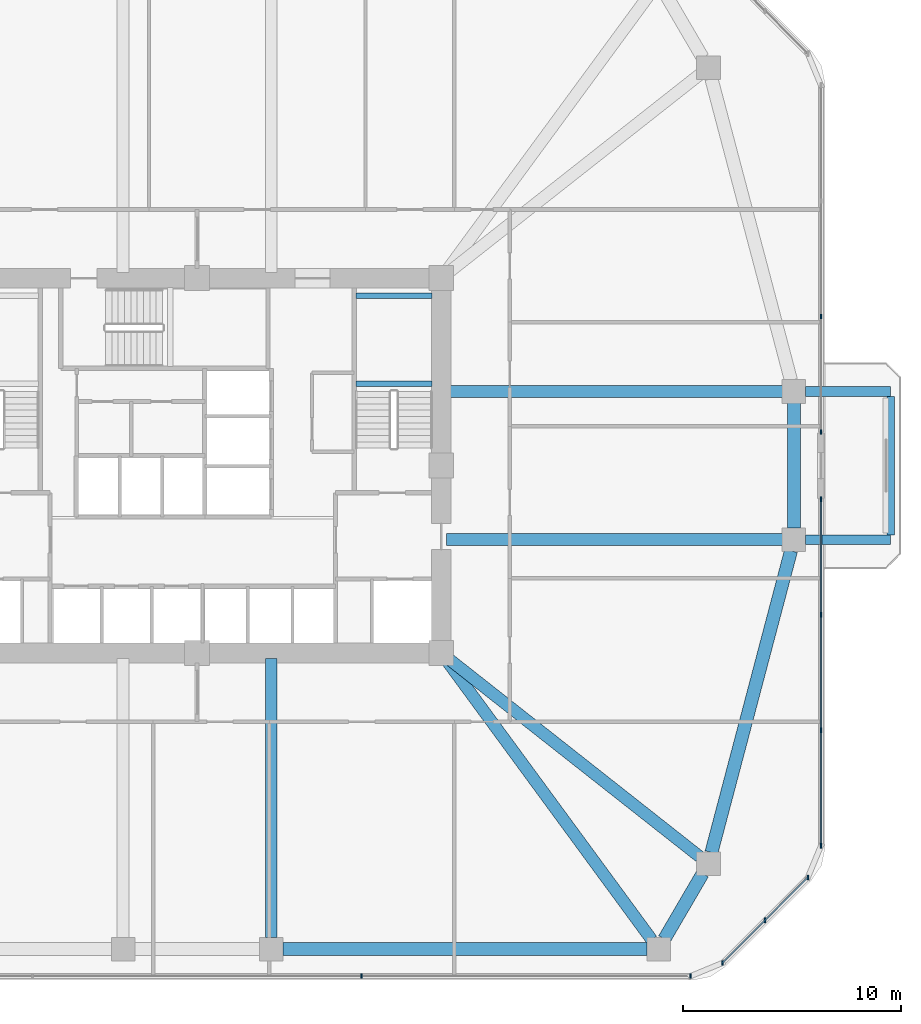
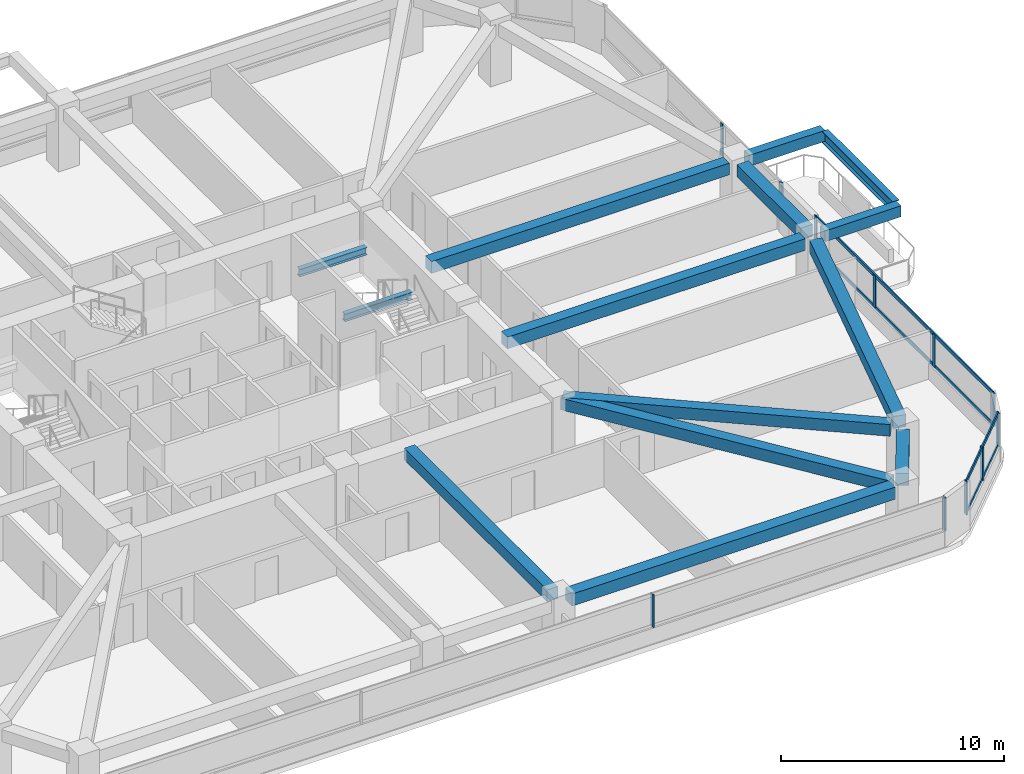
# One storey, part 5 of 15: 15 members, 14 beams, 4 elements without a shape of their own.
"""IFC4 building model written with IfcOpenShell, lengths in metres."""

from ifc_helpers import new_model, si_unit, derived_unit, direction, frame, origin, origin_2d, place, context, subcontext, project, spatial, rectangle, i_section, extrude, material, material_profile, profile_set, type_object, element, aggregate, save


model = new_model("IFC4")

# Units and contexts
model_context = context("Model", 3, precision=1e-05, world=origin(), true_north=direction((0.0, 1.0)))
body_context = subcontext(model_context, "Body", "Model", "MODEL_VIEW")
ifc_project = project(units=[si_unit("LENGTHUNIT", "METRE"), si_unit("AREAUNIT", "SQUARE_METRE"), si_unit("VOLUMEUNIT", "CUBIC_METRE"), si_unit("PLANEANGLEUNIT", "RADIAN"), si_unit("MASSUNIT", "GRAM", prefix="KILO"), derived_unit("THERMALTRANSMITTANCEUNIT", [(si_unit("POWERUNIT", "WATT"), 1), (si_unit("LENGTHUNIT", "METRE"), -2), (si_unit("THERMODYNAMICTEMPERATUREUNIT", "KELVIN"), -1)])], contexts=[model_context])

# Site, building, storey
site_placement = place(None, origin())
site = spatial("IfcSite", under=ifc_project, at=site_placement, CompositionType="ELEMENT")
building_placement = place(site_placement, origin())
building = spatial("IfcBuilding", under=site, at=building_placement, Name="Koralith Skygarden Medical Center", CompositionType="ELEMENT")
storey_placement = place(building_placement, frame((0.0, 0.0, 27.5400390625)))
storey = spatial("IfcBuildingStorey", under=building, at=storey_placement, Name="L06", CompositionType="ELEMENT", Elevation=27.5400390625)

# Curtain wall, members
ifc_material_1 = material(Name="Clear Laminated Glass", Category="glass")
curtain_wall_type = type_object("IfcCurtainWallType", Name="CW-2 Zone 1 Hurricane Unitised Curtain Wall", PredefinedType="NOTDEFINED", material=ifc_material_1)
curtain_wall_1_placement = place(storey_placement, origin())
curtain_wall_1 = element("IfcCurtainWall", 1, at=curtain_wall_1_placement, inside=storey, type_object=curtain_wall_type, Name="Curtain Wall CW-L06-S", PredefinedType="NOTDEFINED")
ifc_material_2 = material(Name="Aluminium 6063-T6", Category="aluminium")
ifc_material_profile_1 = material_profile(ifc_material_2, rectangle(XDim=0.071044921875, YDim=0.219970703125, at=origin_2d()), Name="MUL71X220")
ifc_profile_set_1 = profile_set([ifc_material_profile_1], Name="Aluminium 6063-T6")
member_type_1 = type_object("IfcMemberType", Name="CW-2 Extruded Mullion 71x220", PredefinedType="MULLION", material=ifc_profile_set_1)
member_1_placement = place(storey_placement, frame((44.548095703125, 2.47998046875, 0.849853515625), z_axis=(0.0, 0.0, 1.0), x_axis=(1.0, 0.0, 0.0)))
member_1 = element("IfcMember", 2, at=member_1_placement, type_object=member_type_1, Name="CW-L06-S Mullion 3", PredefinedType="MULLION", context=body_context, shape_type="SweptSolid", body=[
    extrude(rectangle(XDim=0.071044921875, YDim=0.219970703125, at=origin_2d()), origin(), (0.0, 0.0, 1.0), 1.800048828125),
])
member_2_placement = place(storey_placement, frame((59.64501953125, 2.47998046875, 0.849853515625), z_axis=(0.0, 0.0, 1.0), x_axis=(1.0, 0.0, 0.0)))
member_2 = element("IfcMember", 3, at=member_2_placement, type_object=member_type_1, Name="CW-L06-S Mullion 4", PredefinedType="MULLION", context=body_context, shape_type="SweptSolid", body=[
    extrude(rectangle(XDim=0.071044921875, YDim=0.219970703125, at=origin_2d()), origin(), (0.0, 0.0, 1.0), 1.800048828125),
])
aggregate(curtain_wall_1, [member_1, member_2])

curtain_wall_2_placement = place(storey_placement, origin())
curtain_wall_2 = element("IfcCurtainWall", 4, at=curtain_wall_2_placement, inside=storey, type_object=curtain_wall_type, Name="Curtain Wall CW-L06-SE", PredefinedType="NOTDEFINED")
member_3_placement = place(storey_placement, frame((61.095947265625, 3.0810546875, 0.849853515625), z_axis=(0.0, 0.0, 1.0), x_axis=(1.0, 0.0, 0.0)))
member_3 = element("IfcMember", 5, at=member_3_placement, type_object=member_type_1, Name="CW-L06-SE Mullion 1", PredefinedType="MULLION", context=body_context, shape_type="SweptSolid", body=[
    extrude(rectangle(XDim=0.071044921875, YDim=0.219970703125, at=origin_2d()), origin(), (0.0, 0.0, 1.0), 1.800048828125),
])
member_4_placement = place(storey_placement, frame((63.056884765625, 5.0419921875, 0.849853515625), z_axis=(0.0, 0.0, 1.0), x_axis=(1.0, 0.0, 0.0)))
member_4 = element("IfcMember", 6, at=member_4_placement, type_object=member_type_1, Name="CW-L06-SE Mullion 2", PredefinedType="MULLION", context=body_context, shape_type="SweptSolid", body=[
    extrude(rectangle(XDim=0.071044921875, YDim=0.219970703125, at=origin_2d()), origin(), (0.0, 0.0, 1.0), 1.800048828125),
])
member_5_placement = place(storey_placement, frame((65.01904296875, 7.00390625, 0.849853515625), z_axis=(0.0, 0.0, 1.0), x_axis=(1.0, 0.0, 0.0)))
member_5 = element("IfcMember", 7, at=member_5_placement, type_object=member_type_1, Name="CW-L06-SE Mullion 3", PredefinedType="MULLION", context=body_context, shape_type="SweptSolid", body=[
    extrude(rectangle(XDim=0.071044921875, YDim=0.219970703125, at=origin_2d()), origin(), (0.0, 0.0, 1.0), 1.800048828125),
])

curtain_wall_3_placement = place(storey_placement, origin())
curtain_wall_3 = element("IfcCurtainWall", 8, at=curtain_wall_3_placement, inside=storey, type_object=curtain_wall_type, Name="Curtain Wall CW-L06-E-L", PredefinedType="NOTDEFINED")
member_6_placement = place(storey_placement, frame((65.6201171875, 8.455078125, 0.849853515625), z_axis=(0.0, 0.0, 1.0), x_axis=(1.0, 0.0, 0.0)))
member_6 = element("IfcMember", 9, at=member_6_placement, type_object=member_type_1, Name="CW-L06-E-L Mullion 1", PredefinedType="MULLION", context=body_context, shape_type="SweptSolid", body=[
    extrude(rectangle(XDim=0.071044921875, YDim=0.219970703125, at=origin_2d()), origin(), (0.0, 0.0, 1.0), 1.800048828125),
])
member_7_placement = place(storey_placement, frame((65.6201171875, 13.757080078125, 0.849853515625), z_axis=(0.0, 0.0, 1.0), x_axis=(1.0, 0.0, 0.0)))
member_7 = element("IfcMember", 10, at=member_7_placement, type_object=member_type_1, Name="CW-L06-E-L Mullion 2", PredefinedType="MULLION", context=body_context, shape_type="SweptSolid", body=[
    extrude(rectangle(XDim=0.071044921875, YDim=0.219970703125, at=origin_2d()), origin(), (0.0, 0.0, 1.0), 1.800048828125),
])
member_8_placement = place(storey_placement, frame((65.6201171875, 19.05810546875, 0.849853515625), z_axis=(0.0, 0.0, 1.0), x_axis=(1.0, 0.0, 0.0)))
member_8 = element("IfcMember", 11, at=member_8_placement, type_object=member_type_1, Name="CW-L06-E-L Mullion 3", PredefinedType="MULLION", context=body_context, shape_type="SweptSolid", body=[
    extrude(rectangle(XDim=0.071044921875, YDim=0.219970703125, at=origin_2d()), origin(), (0.0, 0.0, 1.0), 1.800048828125),
])
member_9_placement = place(storey_placement, frame((65.6201171875, 24.360107421875, 0.849853515625), z_axis=(0.0, 0.0, 1.0), x_axis=(1.0, 0.0, 0.0)))
member_9 = element("IfcMember", 12, at=member_9_placement, type_object=member_type_1, Name="CW-L06-E-L Mullion 4", PredefinedType="MULLION", context=body_context, shape_type="SweptSolid", body=[
    extrude(rectangle(XDim=0.071044921875, YDim=0.219970703125, at=origin_2d()), origin(), (0.0, 0.0, 1.0), 1.800048828125),
])

curtain_wall_4_placement = place(storey_placement, origin())
curtain_wall_4 = element("IfcCurtainWall", 13, at=curtain_wall_4_placement, inside=storey, type_object=curtain_wall_type, Name="Curtain Wall CW-L06-E-R", PredefinedType="NOTDEFINED")
member_10_placement = place(storey_placement, frame((65.6201171875, 27.43994140625, 0.849853515625), z_axis=(0.0, 0.0, 1.0), x_axis=(1.0, 0.0, 0.0)))
member_10 = element("IfcMember", 14, at=member_10_placement, type_object=member_type_1, Name="CW-L06-E-R Mullion 1", PredefinedType="MULLION", context=body_context, shape_type="SweptSolid", body=[
    extrude(rectangle(XDim=0.071044921875, YDim=0.219970703125, at=origin_2d()), origin(), (0.0, 0.0, 1.0), 1.800048828125),
])
member_11_placement = place(storey_placement, frame((65.6201171875, 32.741943359375, 0.849853515625), z_axis=(0.0, 0.0, 1.0), x_axis=(1.0, 0.0, 0.0)))
member_11 = element("IfcMember", 15, at=member_11_placement, type_object=member_type_1, Name="CW-L06-E-R Mullion 2", PredefinedType="MULLION", context=body_context, shape_type="SweptSolid", body=[
    extrude(rectangle(XDim=0.071044921875, YDim=0.219970703125, at=origin_2d()), origin(), (0.0, 0.0, 1.0), 1.800048828125),
])
aggregate(curtain_wall_4, [member_10, member_11])

# Member
ifc_material_profile_2 = material_profile(ifc_material_2, rectangle(XDim=0.06591796875, YDim=0.197998046875, at=origin_2d()), Name="TRN66X198")
ifc_profile_set_2 = profile_set([ifc_material_profile_2], Name="Aluminium 6063-T6")
member_type_2 = type_object("IfcMemberType", Name="CW-2 Thermal Transom 66x198", PredefinedType="USERDEFINED", material=ifc_profile_set_2)
member_12_placement = place(storey_placement, frame((61.095947265625, 3.0810546875, 0.89990234375), z_axis=(0.707128783731, 0.707084777957, 0.0), x_axis=(-0.707084777957, 0.707128783731, 0.0)))
member_12 = element("IfcMember", 16, at=member_12_placement, type_object=member_type_2, Name="CW-L06-SE Transom 1", ObjectType="TRANSOM", PredefinedType="USERDEFINED", context=body_context, shape_type="SweptSolid", body=[
    extrude(rectangle(XDim=0.06591796875, YDim=0.197998046875, at=origin_2d()), origin(), (0.0, 0.0, 1.0), 5.5478515625),
])

member_13_placement = place(storey_placement, frame((61.095947265625, 3.0810546875, 2.599853515625), z_axis=(0.707128783731, 0.707084777957, 0.0), x_axis=(-0.707084777957, 0.707128783731, 0.0)))
member_13 = element("IfcMember", 17, at=member_13_placement, type_object=member_type_2, Name="CW-L06-SE Transom 2", ObjectType="TRANSOM", PredefinedType="USERDEFINED", context=body_context, shape_type="SweptSolid", body=[
    extrude(rectangle(XDim=0.06591796875, YDim=0.197998046875, at=origin_2d()), origin(), (0.0, 0.0, 1.0), 5.5478515625),
])

aggregate(curtain_wall_2, [member_3, member_4, member_5, member_12, member_13])

member_14_placement = place(storey_placement, frame((65.6201171875, 8.455078125, 0.89990234375), z_axis=(0.0, 1.0, 0.0), x_axis=(-1.0, 0.0, 0.0)))
member_14 = element("IfcMember", 18, at=member_14_placement, type_object=member_type_2, Name="CW-L06-E-L Transom 1", ObjectType="TRANSOM", PredefinedType="USERDEFINED", context=body_context, shape_type="SweptSolid", body=[
    extrude(rectangle(XDim=0.06591796875, YDim=0.197998046875, at=origin_2d()), origin(), (0.0, 0.0, 1.0), 15.905029296875),
])

member_15_placement = place(storey_placement, frame((65.6201171875, 8.455078125, 2.599853515625), z_axis=(0.0, 1.0, 0.0), x_axis=(-1.0, 0.0, 0.0)))
member_15 = element("IfcMember", 19, at=member_15_placement, type_object=member_type_2, Name="CW-L06-E-L Transom 2", ObjectType="TRANSOM", PredefinedType="USERDEFINED", context=body_context, shape_type="SweptSolid", body=[
    extrude(rectangle(XDim=0.06591796875, YDim=0.197998046875, at=origin_2d()), origin(), (0.0, 0.0, 1.0), 15.905029296875),
])

aggregate(curtain_wall_3, [member_6, member_7, member_8, member_9, member_14, member_15])

# Beams
ifc_material_3 = material(Name="Steel ASTM A992 Grade 50", Category="steel")
ifc_material_profile_3 = material_profile(ifc_material_3, i_section(OverallWidth=0.326904296875, OverallDepth=0.6220703125, WebThickness=0.015380859375, FlangeThickness=0.0244140625, at=origin_2d()), Name="W24X131")
ifc_profile_set_3 = profile_set([ifc_material_profile_3], Name="Steel ASTM A992 Grade 50")
beam_type_1 = type_object("IfcBeamType", Name="Cantilever Tie Beam W24X131", PredefinedType="BEAM", material=ifc_profile_set_3)
beam_1_placement = place(storey_placement, frame((68.820068359375, 22.719970703125, 3.029052734375), z_axis=(0.0, 1.0, 0.0), x_axis=(-1.0, 0.0, 0.0)))
element("IfcBeam", 20, at=beam_1_placement, inside=storey, type_object=beam_type_1, Name="L07 E Balcony Tip Tie Beam", PredefinedType="BEAM", context=body_context, shape_type="SweptSolid", body=[
    extrude(i_section(OverallWidth=0.326904296875, OverallDepth=0.6220703125, WebThickness=0.015380859375, FlangeThickness=0.0244140625, at=origin_2d()), origin(), (0.0, 0.0, 1.0), 6.360107421875),
])
ifc_material_profile_4 = material_profile(ifc_material_3, i_section(OverallWidth=0.260009765625, OverallDepth=0.4150390625, WebThickness=0.010009765625, FlangeThickness=0.016845703125, at=origin_2d()), Name="W16X67")
ifc_profile_set_4 = profile_set([ifc_material_profile_4], Name="Steel ASTM A992 Grade 50")
beam_type_2 = type_object("IfcBeamType", Name="Clinical Floor Joist W16X67", PredefinedType="JOIST", material=ifc_profile_set_4)
for number, where, z_axis, x_axis, name in (
    (21, (44.280029296875, 29.659912109375, 1.39306640625), (1.0, 0.0, 0.0), (0.0, 1.0, 0.0), "L06 Stair ST2 Half-Landing Support Beam 1A"),
    (22, (44.280029296875, 33.699951171875, 1.39306640625), (1.0, 0.0, 0.0), (0.0, 1.0, 0.0), "L06 Stair ST2 Half-Landing Support Beam 1B"),
):
    element("IfcBeam", number, at=place(storey_placement, frame(where, z_axis=z_axis, x_axis=x_axis)), inside=storey, type_object=beam_type_2, Name=name, PredefinedType="JOIST", context=body_context, shape_type="SweptSolid", body=[
        extrude(i_section(OverallWidth=0.260009765625, OverallDepth=0.4150390625, WebThickness=0.010009765625, FlangeThickness=0.016845703125, at=origin_2d()), origin(), (0.0, 0.0, 1.0), 3.489990234375),
    ])
ifc_material_4 = material(Name="Concrete C45/55", Category="concrete")
ifc_material_profile_5 = material_profile(ifc_material_4, rectangle(XDim=0.449951171875, YDim=0.60009765625, at=origin_2d()), Name="RCB450X600")
ifc_profile_set_5 = profile_set([ifc_material_profile_5], Name="Concrete C45/55")
beam_type_3 = type_object("IfcBeamType", Name="Planted Balcony Cantilever Beam RCB450X600", PredefinedType="BEAM", material=ifc_profile_set_5)
for number, where, z_axis, x_axis, name in (
    (23, (64.89990234375, 22.5, 3.0400390625), (1.0, 0.0, 0.0), (0.0, 1.0, 0.0), "L07 E Balcony Cantilever Beam A"),
    (24, (64.89990234375, 29.300048828125, 3.0400390625), (1.0, 0.0, 0.0), (0.0, 1.0, 0.0), "L07 E Balcony Cantilever Beam B"),
):
    element("IfcBeam", number, at=place(storey_placement, frame(where, z_axis=z_axis, x_axis=x_axis)), inside=storey, type_object=beam_type_3, Name=name, PredefinedType="BEAM", context=body_context, shape_type="SweptSolid", body=[
        extrude(rectangle(XDim=0.449951171875, YDim=0.60009765625, at=origin_2d()), origin(), (0.0, 0.0, 1.0), 3.920166015625),
    ])
ifc_material_profile_6 = material_profile(ifc_material_4, rectangle(XDim=0.550048828125, YDim=0.639892578125, at=origin_2d()), Name="RCB550X640")
ifc_profile_set_6 = profile_set([ifc_material_profile_6], Name="Concrete C45/55")
beam_type_4 = type_object("IfcBeamType", Name="Radial Collector Beam RCB550X640", PredefinedType="BEAM", material=ifc_profile_set_6)
beam_2_placement = place(storey_placement, frame((40.39990234375, 17.050048828125, 3.0), z_axis=(0.0, -1.0, 0.0), x_axis=(1.0, 0.0, 0.0)))
element("IfcBeam", 25, at=beam_2_placement, inside=storey, type_object=beam_type_4, Name="L06 Radial Collector Beam RB-05", PredefinedType="BEAM", context=body_context, shape_type="SweptSolid", body=[
    extrude(rectangle(XDim=0.550048828125, YDim=0.639892578125, at=origin_2d()), origin(), (0.0, 0.0, 1.0), 12.800048828125),
])
beam_3_placement = place(storey_placement, frame((48.347900390625, 17.097900390625, 3.0), z_axis=(0.591718052249, -0.806144991079, 0.0), x_axis=(0.806144991079, 0.591718052249, 0.0)))
element("IfcBeam", 26, at=beam_3_placement, inside=storey, type_object=beam_type_4, Name="L06 Radial Collector Beam RB-06", PredefinedType="BEAM", context=body_context, shape_type="SweptSolid", body=[
    extrude(rectangle(XDim=0.550048828125, YDim=0.639892578125, at=origin_2d()), origin(), (0.0, 0.0, 1.0), 16.065185546875),
])
beam_4_placement = place(storey_placement, frame((48.39599609375, 17.14501953125, 3.0), z_axis=(0.785497250365, -0.618865146594, 0.0), x_axis=(0.618865146594, 0.785497250365, 0.0)))
element("IfcBeam", 27, at=beam_4_placement, inside=storey, type_object=beam_type_4, Name="L06 Radial Collector Beam RB-07", PredefinedType="BEAM", context=body_context, shape_type="SweptSolid", body=[
    extrude(rectangle(XDim=0.550048828125, YDim=0.639892578125, at=origin_2d()), origin(), (0.0, 0.0, 1.0), 14.828857421875),
])
for number, where, z_axis, x_axis, name in (
    (28, (48.449951171875, 22.5, 3.0), (1.0, 0.0, 0.0), (0.0, 1.0, 0.0), "L06 Radial Collector Beam RB-08"),
    (29, (48.449951171875, 29.300048828125, 3.0), (1.0, 0.0, 0.0), (0.0, 1.0, 0.0), "L06 Radial Collector Beam RB-09"),
):
    element("IfcBeam", number, at=place(storey_placement, frame(where, z_axis=z_axis, x_axis=x_axis)), inside=storey, type_object=beam_type_4, Name=name, PredefinedType="BEAM", context=body_context, shape_type="SweptSolid", body=[
        extrude(rectangle(XDim=0.550048828125, YDim=0.639892578125, at=origin_2d()), origin(), (0.0, 0.0, 1.0), 15.400146484375),
    ])
ifc_material_profile_7 = material_profile(ifc_material_4, rectangle(XDim=0.60009765625, YDim=0.659912109375, at=origin_2d()), Name="RCB600X660")
ifc_profile_set_7 = profile_set([ifc_material_profile_7], Name="Concrete C45/55")
beam_type_5 = type_object("IfcBeamType", Name="Zone 1 Spandrel Beam RCB600X660", PredefinedType="SPANDREL", material=ifc_profile_set_7)
beam_5_placement = place(storey_placement, frame((40.929931640625, 3.719970703125, 2.989990234375), z_axis=(1.0, 0.0, 0.0), x_axis=(0.0, 1.0, 0.0)))
element("IfcBeam", 30, at=beam_5_placement, inside=storey, type_object=beam_type_5, Name="L06 Perimeter Spandrel Beam SP-05", PredefinedType="SPANDREL", context=body_context, shape_type="SweptSolid", body=[
    extrude(rectangle(XDim=0.60009765625, YDim=0.659912109375, at=origin_2d()), origin(), (0.0, 0.0, 1.0), 16.7080078125),
])
beam_6_placement = place(storey_placement, frame((58.43603515625, 4.177978515625, 2.989990234375), z_axis=(0.504638660636, 0.863330656349, 0.0), x_axis=(-0.863330656349, 0.504638660636, 0.0)))
element("IfcBeam", 31, at=beam_6_placement, inside=storey, type_object=beam_type_5, Name="L06 Perimeter Spandrel Beam SP-06", PredefinedType="SPANDREL", context=body_context, shape_type="SweptSolid", body=[
    extrude(rectangle(XDim=0.60009765625, YDim=0.659912109375, at=origin_2d()), origin(), (0.0, 0.0, 1.0), 3.4794921875),
])
beam_7_placement = place(storey_placement, frame((60.594970703125, 8.152099609375, 2.989990234375), z_axis=(0.255088684842, 0.966917660851, 0.0), x_axis=(-0.966917660851, 0.255088684842, 0.0)))
element("IfcBeam", 32, at=beam_7_placement, inside=storey, type_object=beam_type_5, Name="L06 Perimeter Spandrel Beam SP-07", PredefinedType="SPANDREL", context=body_context, shape_type="SweptSolid", body=[
    extrude(rectangle(XDim=0.60009765625, YDim=0.659912109375, at=origin_2d()), origin(), (0.0, 0.0, 1.0), 14.309326171875),
])
beam_8_placement = place(storey_placement, frame((64.3798828125, 23.030029296875, 2.989990234375), z_axis=(0.0, 1.0, 0.0), x_axis=(-1.0, 0.0, 0.0)))
element("IfcBeam", 33, at=beam_8_placement, inside=storey, type_object=beam_type_5, Name="L06 Perimeter Spandrel Beam SP-08", PredefinedType="SPANDREL", context=body_context, shape_type="SweptSolid", body=[
    extrude(rectangle(XDim=0.60009765625, YDim=0.659912109375, at=origin_2d()), origin(), (0.0, 0.0, 1.0), 5.739990234375),
])

save(model, "model.ifc")
